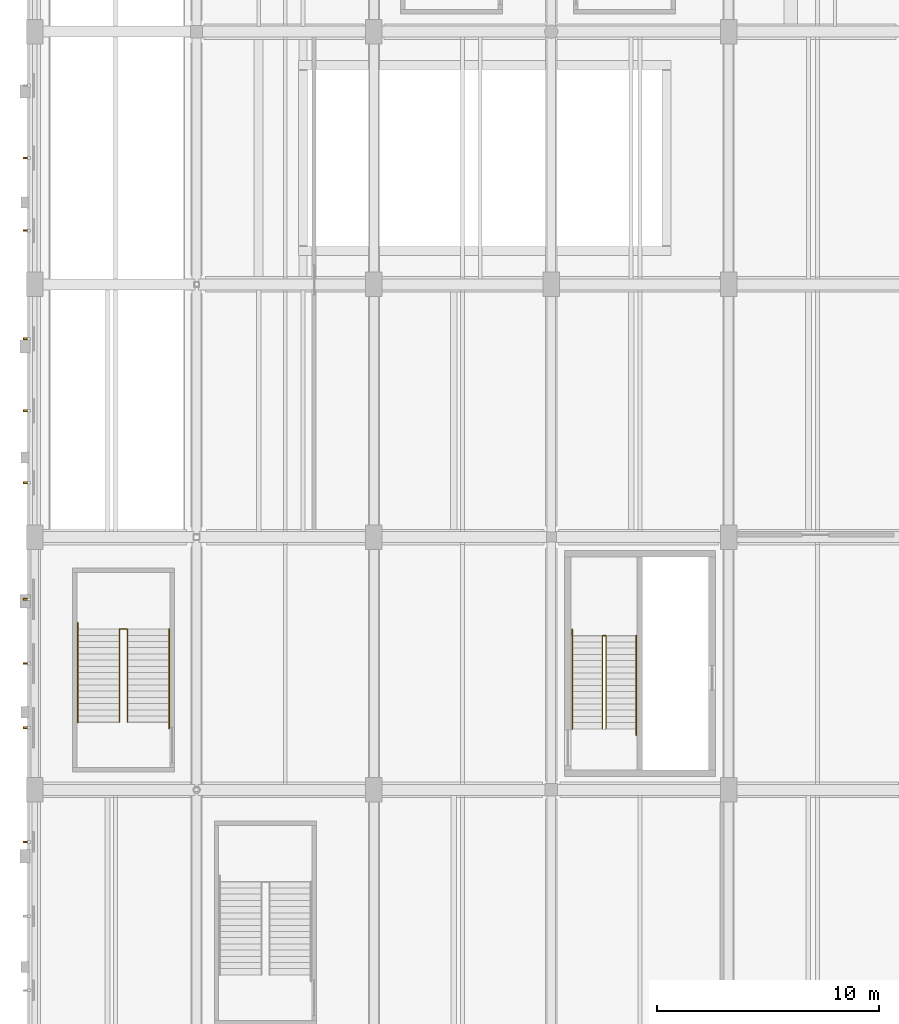
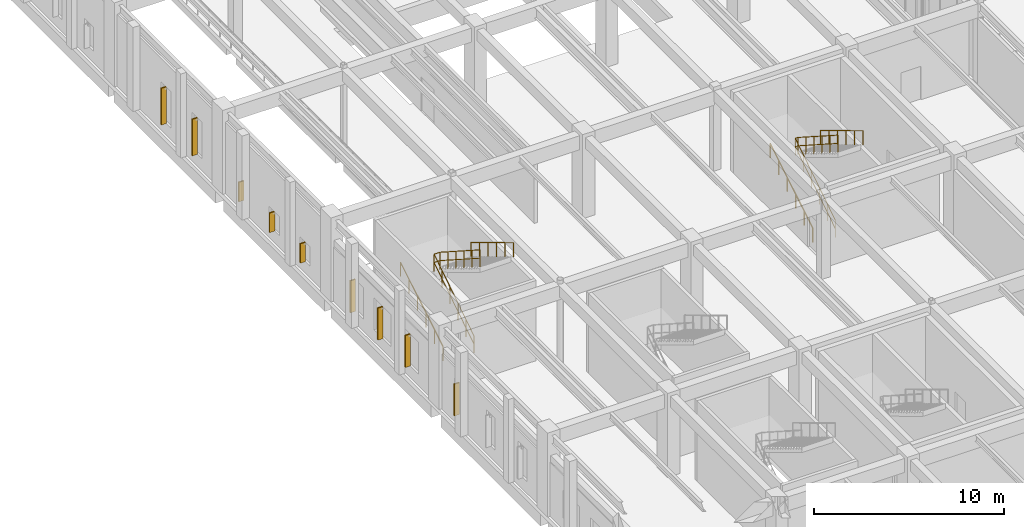
# One storey, part 108 of 113: 9 shading devices, 6 railings.
"""IFC4 building model written with IfcOpenShell, lengths in metres."""

from ifc_helpers import new_model, si_unit, direction, frame, origin, origin_2d, place, context, subcontext, project, spatial, rectangle, circle, extrude, material, type_object, element, save


model = new_model("IFC4")

# Units and contexts
model_context = context("Model", 3, precision=1e-05, world=origin(), true_north=direction((0.0, 1.0)))
body_context = subcontext(model_context, "Body", "Model", "MODEL_VIEW")
ifc_project = project(units=[si_unit("LENGTHUNIT", "METRE"), si_unit("AREAUNIT", "SQUARE_METRE"), si_unit("VOLUMEUNIT", "CUBIC_METRE"), si_unit("PLANEANGLEUNIT", "RADIAN"), si_unit("MASSUNIT", "GRAM", prefix="KILO"), si_unit("POWERUNIT", "WATT"), si_unit("THERMODYNAMICTEMPERATUREUNIT", "KELVIN")], contexts=[model_context])

# Site, building, storey
site_placement = place(None, origin())
site = spatial("IfcSite", under=ifc_project, at=site_placement, CompositionType="ELEMENT")
building_placement = place(site_placement, origin())
building = spatial("IfcBuilding", under=site, at=building_placement, Name="Kelmbourne Parkland Aquatics Centre", CompositionType="ELEMENT")
storey_placement = place(building_placement, origin())
storey = spatial("IfcBuildingStorey", under=building, at=storey_placement, Name="L00", CompositionType="ELEMENT", Elevation=0.0)

# Railings
ifc_material_1 = material(Name="Grade 316 marine stainless steel", Category="steel")
railing_type_1 = type_object("IfcRailingType", Name="RL-GD-112", PredefinedType="GUARDRAIL", material=ifc_material_1)
railing_1_placement = place(storey_placement, frame((26.307373046875, 37.75, 0.0)))
element("IfcRailing", 1, at=railing_1_placement, inside=storey, type_object=railing_type_1, Name="West Wing North Passenger Core Stair ST02 well guardrail", PredefinedType="GUARDRAIL", context=body_context, shape_type="SweptSolid", body=[
    extrude(circle(Radius=0.02392578125, at=origin_2d()), frame((0.0, 0.0, 1.09619140625), z_axis=(0.0, 0.841180064094, 0.540755119968), x_axis=(-1.0, 0.0, 0.0)), (0.0, 0.0, 1.0), 4.992919921875),
    extrude(circle(Radius=0.02392578125, at=origin_2d()), frame((0.0, 0.0, 0.56005859375), z_axis=(0.0, 0.841180064094, 0.540755119968), x_axis=(-1.0, 0.0, 0.0)), (0.0, 0.0, 1.0), 4.992919921875),
    extrude(circle(Radius=0.02392578125, at=origin_2d()), frame((0.0, 4.199951171875, 3.7958984375), z_axis=(1.0, 0.0, 0.0), x_axis=(0.0, 1.0, 0.0)), (0.0, 0.0, 1.0), 0.16015625),
    extrude(circle(Radius=0.02392578125, at=origin_2d()), frame((0.0, 4.199951171875, 3.260009765625), z_axis=(1.0, 0.0, 0.0), x_axis=(0.0, 1.0, 0.0)), (0.0, 0.0, 1.0), 0.16015625),
    extrude(circle(Radius=0.02392578125, at=origin_2d()), frame((0.16015625, 4.199951171875, 3.7958984375), z_axis=(0.0, -0.841180064094, 0.540755119968), x_axis=(1.0, 0.0, 0.0)), (0.0, 0.0, 1.0), 4.992919921875),
    extrude(circle(Radius=0.02392578125, at=origin_2d()), frame((0.16015625, 4.199951171875, 3.260009765625), z_axis=(0.0, -0.841180064094, 0.540755119968), x_axis=(1.0, 0.0, 0.0)), (0.0, 0.0, 1.0), 4.992919921875),
    extrude(circle(Radius=0.02099609375, at=origin_2d()), origin(), (0.0, 0.0, 1.0), 1.072021484375),
    extrude(circle(Radius=0.02099609375, at=origin_2d()), frame((0.0, 0.840087890625, 0.5400390625)), (0.0, 0.0, 1.0), 1.072021484375),
    extrude(circle(Radius=0.02099609375, at=origin_2d()), frame((0.0, 1.679931640625, 1.080078125)), (0.0, 0.0, 1.0), 1.072021484375),
    extrude(circle(Radius=0.02099609375, at=origin_2d()), frame((0.0, 2.52001953125, 1.619873046875)), (0.0, 0.0, 1.0), 1.072021484375),
    extrude(circle(Radius=0.02099609375, at=origin_2d()), frame((0.0, 3.35986328125, 2.159912109375)), (0.0, 0.0, 1.0), 1.072021484375),
    extrude(circle(Radius=0.02099609375, at=origin_2d()), frame((0.0, 4.199951171875, 2.699951171875)), (0.0, 0.0, 1.0), 1.072021484375),
    extrude(circle(Radius=0.02099609375, at=origin_2d()), frame((0.16015625, 4.199951171875, 2.699951171875)), (0.0, 0.0, 1.0), 1.072021484375),
    extrude(circle(Radius=0.02099609375, at=origin_2d()), frame((0.16015625, 3.35986328125, 3.239990234375)), (0.0, 0.0, 1.0), 1.072021484375),
    extrude(circle(Radius=0.02099609375, at=origin_2d()), frame((0.16015625, 2.52001953125, 3.780029296875)), (0.0, 0.0, 1.0), 1.072021484375),
    extrude(circle(Radius=0.02099609375, at=origin_2d()), frame((0.16015625, 1.679931640625, 4.31982421875)), (0.0, 0.0, 1.0), 1.072021484375),
    extrude(circle(Radius=0.02099609375, at=origin_2d()), frame((0.16015625, 0.840087890625, 4.85986328125)), (0.0, 0.0, 1.0), 1.072021484375),
    extrude(circle(Radius=0.02099609375, at=origin_2d()), frame((0.16015625, 0.0, 5.39990234375)), (0.0, 0.0, 1.0), 1.072021484375),
])
railing_2_placement = place(storey_placement, frame((4.52001953125, 38.050048828125, 0.0)))
element("IfcRailing", 2, at=railing_2_placement, inside=storey, type_object=railing_type_1, Name="West Hydrotherapy Exit Stair well guardrail", PredefinedType="GUARDRAIL", context=body_context, shape_type="SweptSolid", body=[
    extrude(circle(Radius=0.02392578125, at=origin_2d()), frame((0.0, 0.0, 1.09619140625), z_axis=(0.0, 0.841180064094, 0.540755119968), x_axis=(-1.0, 0.0, 0.0)), (0.0, 0.0, 1.0), 4.992919921875),
    extrude(circle(Radius=0.02392578125, at=origin_2d()), frame((0.0, 0.0, 0.56005859375), z_axis=(0.0, 0.841180064094, 0.540755119968), x_axis=(-1.0, 0.0, 0.0)), (0.0, 0.0, 1.0), 4.992919921875),
    extrude(circle(Radius=0.02392578125, at=origin_2d()), frame((0.0, 4.199951171875, 3.7958984375), z_axis=(1.0, 0.0, 0.0), x_axis=(0.0, 1.0, 0.0)), (0.0, 0.0, 1.0), 0.35986328125),
    extrude(circle(Radius=0.02392578125, at=origin_2d()), frame((0.0, 4.199951171875, 3.260009765625), z_axis=(1.0, 0.0, 0.0), x_axis=(0.0, 1.0, 0.0)), (0.0, 0.0, 1.0), 0.35986328125),
    extrude(circle(Radius=0.02392578125, at=origin_2d()), frame((0.35986328125, 4.199951171875, 3.7958984375), z_axis=(0.0, -0.841180064094, 0.540755119968), x_axis=(1.0, 0.0, 0.0)), (0.0, 0.0, 1.0), 4.992919921875),
    extrude(circle(Radius=0.02392578125, at=origin_2d()), frame((0.35986328125, 4.199951171875, 3.260009765625), z_axis=(0.0, -0.841180064094, 0.540755119968), x_axis=(1.0, 0.0, 0.0)), (0.0, 0.0, 1.0), 4.992919921875),
    extrude(circle(Radius=0.02099609375, at=origin_2d()), origin(), (0.0, 0.0, 1.0), 1.072021484375),
    extrude(circle(Radius=0.02099609375, at=origin_2d()), frame((0.0, 0.840087890625, 0.5400390625)), (0.0, 0.0, 1.0), 1.072021484375),
    extrude(circle(Radius=0.02099609375, at=origin_2d()), frame((0.0, 1.679931640625, 1.080078125)), (0.0, 0.0, 1.0), 1.072021484375),
    extrude(circle(Radius=0.02099609375, at=origin_2d()), frame((0.0, 2.52001953125, 1.619873046875)), (0.0, 0.0, 1.0), 1.072021484375),
    extrude(circle(Radius=0.02099609375, at=origin_2d()), frame((0.0, 3.35986328125, 2.159912109375)), (0.0, 0.0, 1.0), 1.072021484375),
    extrude(circle(Radius=0.02099609375, at=origin_2d()), frame((0.0, 4.199951171875, 2.699951171875)), (0.0, 0.0, 1.0), 1.072021484375),
    extrude(circle(Radius=0.02099609375, at=origin_2d()), frame((0.35986328125, 4.199951171875, 2.699951171875)), (0.0, 0.0, 1.0), 1.072021484375),
    extrude(circle(Radius=0.02099609375, at=origin_2d()), frame((0.35986328125, 3.35986328125, 3.239990234375)), (0.0, 0.0, 1.0), 1.072021484375),
    extrude(circle(Radius=0.02099609375, at=origin_2d()), frame((0.35986328125, 2.52001953125, 3.780029296875)), (0.0, 0.0, 1.0), 1.072021484375),
    extrude(circle(Radius=0.02099609375, at=origin_2d()), frame((0.35986328125, 1.679931640625, 4.31982421875)), (0.0, 0.0, 1.0), 1.072021484375),
    extrude(circle(Radius=0.02099609375, at=origin_2d()), frame((0.35986328125, 0.840087890625, 4.85986328125)), (0.0, 0.0, 1.0), 1.072021484375),
    extrude(circle(Radius=0.02099609375, at=origin_2d()), frame((0.35986328125, 0.0, 5.39990234375)), (0.0, 0.0, 1.0), 1.072021484375),
])
railing_type_2 = type_object("IfcRailingType", Name="RL-HR-92", PredefinedType="HANDRAIL", material=ifc_material_1)
railing_3_placement = place(storey_placement, frame((24.93994140625, 37.75, 0.168701171875)))
element("IfcRailing", 3, at=railing_3_placement, inside=storey, type_object=railing_type_2, Name="West Wing North Passenger Core Stair ST02 F1 handrail", PredefinedType="HANDRAIL", context=body_context, shape_type="SweptSolid", body=[
    extrude(circle(Radius=0.02392578125, at=origin_2d()), frame((0.0, 0.0, 0.89599609375), z_axis=(0.0, 0.856461642802, 0.516210668632), x_axis=(-1.0, 0.0, 0.0)), (0.0, 0.0, 1.0), 5.230712890625),
    extrude(circle(Radius=0.02099609375, at=origin_2d()), origin(), (0.0, 0.0, 1.0), 0.871826171875),
    extrude(circle(Radius=0.02099609375, at=origin_2d()), frame((0.0, 0.89599609375, 0.5400390625)), (0.0, 0.0, 1.0), 0.871826171875),
    extrude(circle(Radius=0.02099609375, at=origin_2d()), frame((0.0, 1.7919921875, 1.080078125)), (0.0, 0.0, 1.0), 0.871826171875),
    extrude(circle(Radius=0.02099609375, at=origin_2d()), frame((0.0, 2.68798828125, 1.6201171875)), (0.0, 0.0, 1.0), 0.871826171875),
    extrude(circle(Radius=0.02099609375, at=origin_2d()), frame((0.0, 3.583984375, 2.16015625)), (0.0, 0.0, 1.0), 0.871826171875),
    extrude(circle(Radius=0.02099609375, at=origin_2d()), frame((0.0, 4.47998046875, 2.7001953125)), (0.0, 0.0, 1.0), 0.871826171875),
])
railing_4_placement = place(storey_placement, frame((27.8349609375, 41.949951171875, 2.868896484375)))
element("IfcRailing", 4, at=railing_4_placement, inside=storey, type_object=railing_type_2, Name="West Wing North Passenger Core Stair ST02 F2 handrail", PredefinedType="HANDRAIL", context=body_context, shape_type="SweptSolid", body=[
    extrude(circle(Radius=0.02392578125, at=origin_2d()), frame((0.0, 0.0, 0.89599609375), z_axis=(0.0, -0.856482277723, 0.516176431026), x_axis=(1.0, 0.0, 0.0)), (0.0, 0.0, 1.0), 5.230712890625),
    extrude(circle(Radius=0.02099609375, at=origin_2d()), origin(), (0.0, 0.0, 1.0), 0.871826171875),
    extrude(circle(Radius=0.02099609375, at=origin_2d()), frame((0.0, -0.89599609375, 0.5400390625)), (0.0, 0.0, 1.0), 0.871826171875),
    extrude(circle(Radius=0.02099609375, at=origin_2d()), frame((0.0, -1.7919921875, 1.080078125)), (0.0, 0.0, 1.0), 0.871826171875),
    extrude(circle(Radius=0.02099609375, at=origin_2d()), frame((0.0, -2.68798828125, 1.619873046875)), (0.0, 0.0, 1.0), 0.871826171875),
    extrude(circle(Radius=0.02099609375, at=origin_2d()), frame((0.0, -3.583984375, 2.159912109375)), (0.0, 0.0, 1.0), 0.871826171875),
    extrude(circle(Radius=0.02099609375, at=origin_2d()), frame((0.0, -4.47998046875, 2.699951171875)), (0.0, 0.0, 1.0), 0.871826171875),
])
railing_5_placement = place(storey_placement, frame((2.639892578125, 38.050048828125, 0.168701171875)))
element("IfcRailing", 5, at=railing_5_placement, inside=storey, type_object=railing_type_2, Name="West Hydrotherapy Exit Stair F1 handrail", PredefinedType="HANDRAIL", context=body_context, shape_type="SweptSolid", body=[
    extrude(circle(Radius=0.02392578125, at=origin_2d()), frame((0.0, 0.0, 0.89599609375), z_axis=(0.0, 0.856461642802, 0.516210668632), x_axis=(-1.0, 0.0, 0.0)), (0.0, 0.0, 1.0), 5.230712890625),
    extrude(circle(Radius=0.02099609375, at=origin_2d()), origin(), (0.0, 0.0, 1.0), 0.871826171875),
    extrude(circle(Radius=0.02099609375, at=origin_2d()), frame((0.0, 0.89599609375, 0.5400390625)), (0.0, 0.0, 1.0), 0.871826171875),
    extrude(circle(Radius=0.02099609375, at=origin_2d()), frame((0.0, 1.7919921875, 1.080078125)), (0.0, 0.0, 1.0), 0.871826171875),
    extrude(circle(Radius=0.02099609375, at=origin_2d()), frame((0.0, 2.68798828125, 1.6201171875)), (0.0, 0.0, 1.0), 0.871826171875),
    extrude(circle(Radius=0.02099609375, at=origin_2d()), frame((0.0, 3.583984375, 2.16015625)), (0.0, 0.0, 1.0), 0.871826171875),
    extrude(circle(Radius=0.02099609375, at=origin_2d()), frame((0.0, 4.47998046875, 2.7001953125)), (0.0, 0.0, 1.0), 0.871826171875),
])
railing_6_placement = place(storey_placement, frame((6.760009765625, 42.25, 2.868896484375)))
element("IfcRailing", 6, at=railing_6_placement, inside=storey, type_object=railing_type_2, Name="West Hydrotherapy Exit Stair F2 handrail", PredefinedType="HANDRAIL", context=body_context, shape_type="SweptSolid", body=[
    extrude(circle(Radius=0.02392578125, at=origin_2d()), frame((0.0, 0.0, 0.89599609375), z_axis=(0.0, -0.856482277723, 0.516176431026), x_axis=(1.0, 0.0, 0.0)), (0.0, 0.0, 1.0), 5.230712890625),
    extrude(circle(Radius=0.02099609375, at=origin_2d()), origin(), (0.0, 0.0, 1.0), 0.871826171875),
    extrude(circle(Radius=0.02099609375, at=origin_2d()), frame((0.0, -0.89599609375, 0.5400390625)), (0.0, 0.0, 1.0), 0.871826171875),
    extrude(circle(Radius=0.02099609375, at=origin_2d()), frame((0.0, -1.7919921875, 1.080078125)), (0.0, 0.0, 1.0), 0.871826171875),
    extrude(circle(Radius=0.02099609375, at=origin_2d()), frame((0.0, -2.68798828125, 1.619873046875)), (0.0, 0.0, 1.0), 0.871826171875),
    extrude(circle(Radius=0.02099609375, at=origin_2d()), frame((0.0, -3.583984375, 2.159912109375)), (0.0, 0.0, 1.0), 0.871826171875),
    extrude(circle(Radius=0.02099609375, at=origin_2d()), frame((0.0, -4.47998046875, 2.699951171875)), (0.0, 0.0, 1.0), 0.871826171875),
])

# Shading devices
ifc_material_2 = material(Name="Architectural extruded terracotta baguettes", Category="masonry")
shading_device_type = type_object("IfcShadingDeviceType", Name="SHD-FIN-1", PredefinedType="USERDEFINED", material=ifc_material_2)
for number, where, z_axis, x_axis, name in (
    (7, (0.344970703125, 32.64794921875, 0.75), (0.0, 0.0, 1.0), (0.0, 1.0, 0.0), "Terracotta vertical solar fin 006"),
    (8, (0.344970703125, 37.802001953125, 0.75), (0.0, 0.0, 1.0), (0.0, 1.0, 0.0), "Terracotta vertical solar fin 007"),
    (9, (0.344970703125, 40.699951171875, 0.75), (0.0, 0.0, 1.0), (0.0, 1.0, 0.0), "Terracotta vertical solar fin 008"),
    (10, (0.344970703125, 43.597900390625, 0.75), (0.0, 0.0, 1.0), (0.0, 1.0, 0.0), "Terracotta vertical solar fin 009"),
):
    element("IfcShadingDevice", number, at=place(storey_placement, frame(where, z_axis=z_axis, x_axis=x_axis)), inside=storey, type_object=shading_device_type, Name=name, ObjectType="SOLAR FIN", PredefinedType="USERDEFINED", context=body_context, shape_type="SweptSolid", body=[
        extrude(rectangle(XDim=0.080078125, YDim=0.320068359375, at=origin_2d()), origin(), (0.0, 0.0, 1.0), 2.050048828125),
    ])
for number, where, z_axis, x_axis, name in (
    (11, (0.344970703125, 48.85205078125, 0.75), (0.0, 0.0, 1.0), (0.0, 1.0, 0.0), "Terracotta vertical solar fin 010"),
    (12, (0.344970703125, 52.10009765625, 0.75), (0.0, 0.0, 1.0), (0.0, 1.0, 0.0), "Terracotta vertical solar fin 011"),
    (13, (0.344970703125, 55.347900390625, 0.75), (0.0, 0.0, 1.0), (0.0, 1.0, 0.0), "Terracotta vertical solar fin 012"),
):
    element("IfcShadingDevice", number, at=place(storey_placement, frame(where, z_axis=z_axis, x_axis=x_axis)), inside=storey, type_object=shading_device_type, Name=name, ObjectType="SOLAR FIN", PredefinedType="USERDEFINED", context=body_context, shape_type="SweptSolid", body=[
        extrude(rectangle(XDim=0.080078125, YDim=0.320068359375, at=origin_2d()), origin(), (0.0, 0.0, 1.0), 1.25),
    ])
for number, where, z_axis, x_axis, name in (
    (14, (0.344970703125, 60.22705078125, 0.75), (0.0, 0.0, 1.0), (0.0, 1.0, 0.0), "Terracotta vertical solar fin 013"),
    (15, (0.344970703125, 63.5, 0.75), (0.0, 0.0, 1.0), (0.0, 1.0, 0.0), "Terracotta vertical solar fin 014"),
):
    element("IfcShadingDevice", number, at=place(storey_placement, frame(where, z_axis=z_axis, x_axis=x_axis)), inside=storey, type_object=shading_device_type, Name=name, ObjectType="SOLAR FIN", PredefinedType="USERDEFINED", context=body_context, shape_type="SweptSolid", body=[
        extrude(rectangle(XDim=0.080078125, YDim=0.320068359375, at=origin_2d()), origin(), (0.0, 0.0, 1.0), 2.35009765625),
    ])

save(model, "model.ifc")
